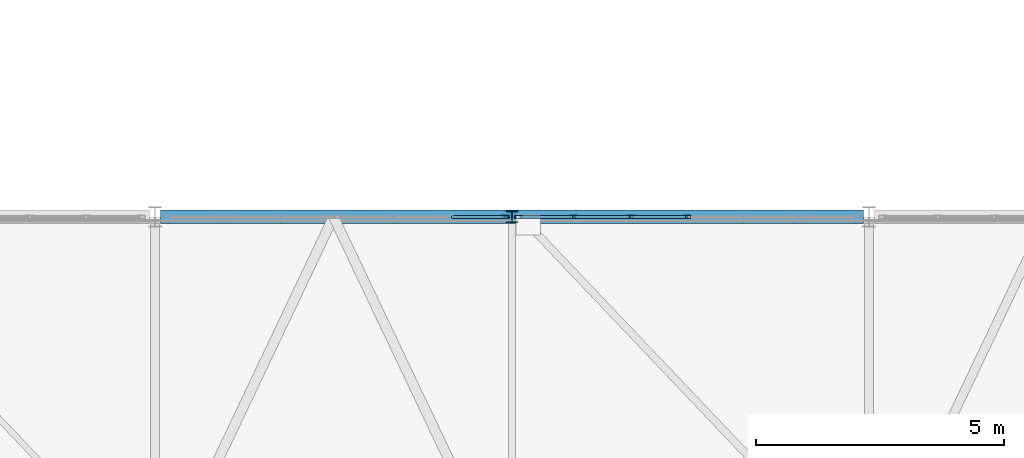
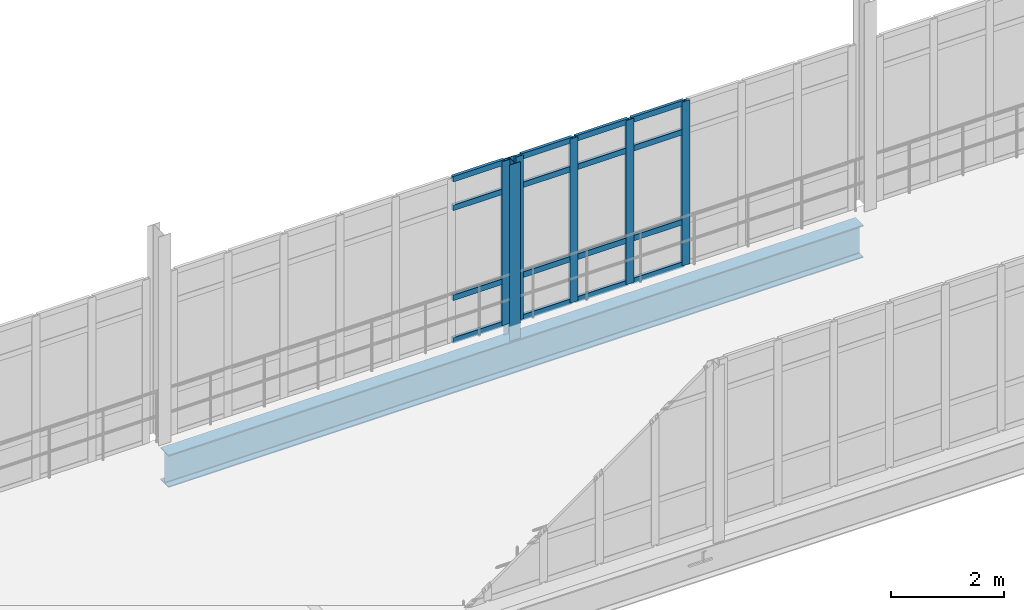
# One storey, part 25 of 116: 22 members, 1 beam, 2 elements without a shape of their own.
"""IFC4 building model written with IfcOpenShell, lengths in metres."""

from ifc_helpers import new_model, si_unit, direction, frame, origin, origin_2d, place, context, subcontext, project, spatial, hollow_rectangle, i_section, extrude, material, material_profile, profile_set, type_object, element, aggregate, save


model = new_model("IFC4")

# Units and contexts
model_context = context("Model", 3, precision=1e-05, world=origin(), true_north=direction((0.0, 1.0)))
body_context = subcontext(model_context, "Body", "Model", "MODEL_VIEW")
ifc_project = project(units=[si_unit("LENGTHUNIT", "METRE"), si_unit("AREAUNIT", "SQUARE_METRE"), si_unit("VOLUMEUNIT", "CUBIC_METRE"), si_unit("PLANEANGLEUNIT", "RADIAN"), si_unit("MASSUNIT", "GRAM", prefix="KILO")], contexts=[model_context])

# Site, building, storey
site_placement = place(None, origin())
site = spatial("IfcSite", under=ifc_project, at=site_placement, CompositionType="ELEMENT")
building_placement = place(site_placement, origin())
building = spatial("IfcBuilding", under=site, at=building_placement, Name="Kalluvel Institute of Natural Sciences", CompositionType="ELEMENT")
storey_placement = place(building_placement, frame((0.0, 0.0, 14.39990234375)))
storey = spatial("IfcBuildingStorey", under=building, at=storey_placement, Name="L03", CompositionType="ELEMENT", Elevation=14.39990234375)

# Beam
ifc_material_1 = material(Name="Steel E350 Grade 350", Category="steel")
ifc_material_profile_1 = material_profile(ifc_material_1, i_section(OverallWidth=0.280029296875, OverallDepth=0.699951171875, WebThickness=0.013916015625, FlangeThickness=0.02392578125, FilletRadius=0.01611328125, at=origin_2d()), Name="WPG 700x280")
ifc_profile_set_1 = profile_set([ifc_material_profile_1], Name="Steel E350 Grade 350")
beam_type = type_object("IfcBeamType", Name="BM-WPG700", PredefinedType="BEAM", material=ifc_profile_set_1)
beam_placement = place(storey_placement, frame((50.110107421875, 35.60009765625, -0.669921875), z_axis=(1.0, 0.0, 0.0), x_axis=(0.0, 1.0, 0.0)))
element("IfcBeam", 1, at=beam_placement, inside=storey, type_object=beam_type, Name="L03 link bridge main plate-girder chord 34", PredefinedType="BEAM", context=body_context, shape_type="SweptSolid", body=[
    extrude(i_section(OverallWidth=0.280029296875, OverallDepth=0.699951171875, WebThickness=0.013916015625, FlangeThickness=0.02392578125, FilletRadius=0.01611328125, at=origin_2d()), origin(), (0.0, 0.0, 1.0), 14.179931640625),
])

# Curtain wall, member
ifc_material_2 = material(Name="Aluminium AW-6063 T6", Category="aluminium")
curtain_wall_type = type_object("IfcCurtainWallType", Name="CW-BRG-45", PredefinedType="USERDEFINED", material=ifc_material_2)
curtain_wall_1_placement = place(storey_placement, origin())
curtain_wall_1 = element("IfcCurtainWall", 2, at=curtain_wall_1_placement, inside=storey, type_object=curtain_wall_type, Name="L03 Gothic lancet curtain wall CWA-L03-X502-Y356", ObjectType="UNITISED LANCET FACADE", PredefinedType="USERDEFINED")
ifc_material_profile_2 = material_profile(ifc_material_2, hollow_rectangle(XDim=0.06005859375, YDim=0.159912109375, WallThickness=0.00390625, at=origin_2d()), Name="CWM 60x160")
ifc_profile_set_2 = profile_set([ifc_material_profile_2], Name="Aluminium AW-6063 T6")
member_type_1 = type_object("IfcMemberType", Name="CWM-60x160", PredefinedType="MULLION", material=ifc_profile_set_2)
member_1_placement = place(storey_placement, frame((57.06005859375, 35.60009765625, 0.0), z_axis=(0.0, 0.0, 1.0), x_axis=(0.0, 1.0, 0.0)))
member_1 = element("IfcMember", 3, at=member_1_placement, type_object=member_type_1, Name="CW-07 mullion 7", PredefinedType="MULLION", context=body_context, shape_type="SweptSolid", body=[
    extrude(hollow_rectangle(XDim=0.06005859375, YDim=0.159912109375, WallThickness=0.00390625, at=origin_2d()), origin(), (0.0, 0.0, 1.0), 3.5400390625),
])

# Curtain wall, members
curtain_wall_2_placement = place(storey_placement, origin())
curtain_wall_2 = element("IfcCurtainWall", 4, at=curtain_wall_2_placement, inside=storey, type_object=curtain_wall_type, Name="L03 Gothic lancet curtain wall CWA-L03-X573-Y356", ObjectType="UNITISED LANCET FACADE", PredefinedType="USERDEFINED")
member_2_placement = place(storey_placement, frame((57.340087890625, 35.60009765625, 0.0), z_axis=(0.0, 0.0, 1.0), x_axis=(0.0, 1.0, 0.0)))
member_2 = element("IfcMember", 5, at=member_2_placement, type_object=member_type_1, Name="CW-07 mullion 1", PredefinedType="MULLION", context=body_context, shape_type="SweptSolid", body=[
    extrude(hollow_rectangle(XDim=0.06005859375, YDim=0.159912109375, WallThickness=0.00390625, at=origin_2d()), origin(), (0.0, 0.0, 1.0), 3.5400390625),
])
member_3_placement = place(storey_placement, frame((58.449951171875, 35.60009765625, 0.0), z_axis=(0.0, 0.0, 1.0), x_axis=(0.0, 1.0, 0.0)))
member_3 = element("IfcMember", 6, at=member_3_placement, type_object=member_type_1, Name="CW-07 mullion 2", PredefinedType="MULLION", context=body_context, shape_type="SweptSolid", body=[
    extrude(hollow_rectangle(XDim=0.06005859375, YDim=0.159912109375, WallThickness=0.00390625, at=origin_2d()), origin(), (0.0, 0.0, 1.0), 3.5400390625),
])
member_4_placement = place(storey_placement, frame((59.590087890625, 35.60009765625, 0.0), z_axis=(0.0, 0.0, 1.0), x_axis=(0.0, 1.0, 0.0)))
member_4 = element("IfcMember", 7, at=member_4_placement, type_object=member_type_1, Name="CW-07 mullion 3", PredefinedType="MULLION", context=body_context, shape_type="SweptSolid", body=[
    extrude(hollow_rectangle(XDim=0.06005859375, YDim=0.159912109375, WallThickness=0.00390625, at=origin_2d()), origin(), (0.0, 0.0, 1.0), 3.5400390625),
])
member_5_placement = place(storey_placement, frame((60.72998046875, 35.60009765625, 0.0), z_axis=(0.0, 0.0, 1.0), x_axis=(0.0, 1.0, 0.0)))
member_5 = element("IfcMember", 8, at=member_5_placement, type_object=member_type_1, Name="CW-07 mullion 4", PredefinedType="MULLION", context=body_context, shape_type="SweptSolid", body=[
    extrude(hollow_rectangle(XDim=0.06005859375, YDim=0.159912109375, WallThickness=0.00390625, at=origin_2d()), origin(), (0.0, 0.0, 1.0), 3.5400390625),
])

# Member
ifc_material_profile_3 = material_profile(ifc_material_2, hollow_rectangle(XDim=0.06005859375, YDim=0.1201171875, WallThickness=0.00390625, at=origin_2d()), Name="CWT 60x120")
ifc_profile_set_3 = profile_set([ifc_material_profile_3], Name="Aluminium AW-6063 T6")
member_type_2 = type_object("IfcMemberType", Name="CWT-60x120", PredefinedType="USERDEFINED", material=ifc_profile_set_3)
member_6_placement = place(storey_placement, frame((55.97998046875, 35.60009765625, 0.030029296875), z_axis=(1.0, 0.0, 0.0), x_axis=(0.0, 1.0, 0.0)))
member_6 = element("IfcMember", 9, at=member_6_placement, type_object=member_type_2, Name="CW-07 transom 6.1", ObjectType="TRANSOM", PredefinedType="USERDEFINED", context=body_context, shape_type="SweptSolid", body=[
    extrude(hollow_rectangle(XDim=0.06005859375, YDim=0.1201171875, WallThickness=0.00390625, at=origin_2d()), origin(), (0.0, 0.0, 1.0), 1.050048828125),
])

member_7_placement = place(storey_placement, frame((55.97998046875, 35.60009765625, 0.9501953125), z_axis=(1.0, 0.0, 0.0), x_axis=(0.0, 1.0, 0.0)))
member_7 = element("IfcMember", 10, at=member_7_placement, type_object=member_type_2, Name="CW-07 transom 6.2", ObjectType="TRANSOM", PredefinedType="USERDEFINED", context=body_context, shape_type="SweptSolid", body=[
    extrude(hollow_rectangle(XDim=0.06005859375, YDim=0.1201171875, WallThickness=0.00390625, at=origin_2d()), origin(), (0.0, 0.0, 1.0), 1.050048828125),
])

member_8_placement = place(storey_placement, frame((55.97998046875, 35.60009765625, 2.89013671875), z_axis=(1.0, 0.0, 0.0), x_axis=(0.0, 1.0, 0.0)))
member_8 = element("IfcMember", 11, at=member_8_placement, type_object=member_type_2, Name="CW-07 transom 6.3", ObjectType="TRANSOM", PredefinedType="USERDEFINED", context=body_context, shape_type="SweptSolid", body=[
    extrude(hollow_rectangle(XDim=0.06005859375, YDim=0.1201171875, WallThickness=0.00390625, at=origin_2d()), origin(), (0.0, 0.0, 1.0), 1.050048828125),
])

member_9_placement = place(storey_placement, frame((55.97998046875, 35.60009765625, 3.510009765625), z_axis=(1.0, 0.0, 0.0), x_axis=(0.0, 1.0, 0.0)))
member_9 = element("IfcMember", 12, at=member_9_placement, type_object=member_type_2, Name="CW-07 transom 6.4", ObjectType="TRANSOM", PredefinedType="USERDEFINED", context=body_context, shape_type="SweptSolid", body=[
    extrude(hollow_rectangle(XDim=0.06005859375, YDim=0.1201171875, WallThickness=0.00390625, at=origin_2d()), origin(), (0.0, 0.0, 1.0), 1.050048828125),
])

aggregate(curtain_wall_1, [member_1, member_6, member_7, member_8, member_9])

member_10_placement = place(storey_placement, frame((57.3701171875, 35.60009765625, 0.030029296875), z_axis=(1.0, 0.0, 0.0), x_axis=(0.0, 1.0, 0.0)))
member_10 = element("IfcMember", 13, at=member_10_placement, type_object=member_type_2, Name="CW-07 transom 1.1", ObjectType="TRANSOM", PredefinedType="USERDEFINED", context=body_context, shape_type="SweptSolid", body=[
    extrude(hollow_rectangle(XDim=0.06005859375, YDim=0.1201171875, WallThickness=0.00390625, at=origin_2d()), origin(), (0.0, 0.0, 1.0), 1.0498046875),
])

member_11_placement = place(storey_placement, frame((57.3701171875, 35.60009765625, 0.9501953125), z_axis=(1.0, 0.0, 0.0), x_axis=(0.0, 1.0, 0.0)))
member_11 = element("IfcMember", 14, at=member_11_placement, type_object=member_type_2, Name="CW-07 transom 1.2", ObjectType="TRANSOM", PredefinedType="USERDEFINED", context=body_context, shape_type="SweptSolid", body=[
    extrude(hollow_rectangle(XDim=0.06005859375, YDim=0.1201171875, WallThickness=0.00390625, at=origin_2d()), origin(), (0.0, 0.0, 1.0), 1.0498046875),
])

member_12_placement = place(storey_placement, frame((57.3701171875, 35.60009765625, 2.89013671875), z_axis=(1.0, 0.0, 0.0), x_axis=(0.0, 1.0, 0.0)))
member_12 = element("IfcMember", 15, at=member_12_placement, type_object=member_type_2, Name="CW-07 transom 1.3", ObjectType="TRANSOM", PredefinedType="USERDEFINED", context=body_context, shape_type="SweptSolid", body=[
    extrude(hollow_rectangle(XDim=0.06005859375, YDim=0.1201171875, WallThickness=0.00390625, at=origin_2d()), origin(), (0.0, 0.0, 1.0), 1.0498046875),
])

member_13_placement = place(storey_placement, frame((57.3701171875, 35.60009765625, 3.510009765625), z_axis=(1.0, 0.0, 0.0), x_axis=(0.0, 1.0, 0.0)))
member_13 = element("IfcMember", 16, at=member_13_placement, type_object=member_type_2, Name="CW-07 transom 1.4", ObjectType="TRANSOM", PredefinedType="USERDEFINED", context=body_context, shape_type="SweptSolid", body=[
    extrude(hollow_rectangle(XDim=0.06005859375, YDim=0.1201171875, WallThickness=0.00390625, at=origin_2d()), origin(), (0.0, 0.0, 1.0), 1.0498046875),
])

member_14_placement = place(storey_placement, frame((58.47998046875, 35.60009765625, 0.030029296875), z_axis=(1.0, 0.0, 0.0), x_axis=(0.0, 1.0, 0.0)))
member_14 = element("IfcMember", 17, at=member_14_placement, type_object=member_type_2, Name="CW-07 transom 2.1", ObjectType="TRANSOM", PredefinedType="USERDEFINED", context=body_context, shape_type="SweptSolid", body=[
    extrude(hollow_rectangle(XDim=0.06005859375, YDim=0.1201171875, WallThickness=0.00390625, at=origin_2d()), origin(), (0.0, 0.0, 1.0), 1.080078125),
])

member_15_placement = place(storey_placement, frame((58.47998046875, 35.60009765625, 0.9501953125), z_axis=(1.0, 0.0, 0.0), x_axis=(0.0, 1.0, 0.0)))
member_15 = element("IfcMember", 18, at=member_15_placement, type_object=member_type_2, Name="CW-07 transom 2.2", ObjectType="TRANSOM", PredefinedType="USERDEFINED", context=body_context, shape_type="SweptSolid", body=[
    extrude(hollow_rectangle(XDim=0.06005859375, YDim=0.1201171875, WallThickness=0.00390625, at=origin_2d()), origin(), (0.0, 0.0, 1.0), 1.080078125),
])

member_16_placement = place(storey_placement, frame((58.47998046875, 35.60009765625, 2.89013671875), z_axis=(1.0, 0.0, 0.0), x_axis=(0.0, 1.0, 0.0)))
member_16 = element("IfcMember", 19, at=member_16_placement, type_object=member_type_2, Name="CW-07 transom 2.3", ObjectType="TRANSOM", PredefinedType="USERDEFINED", context=body_context, shape_type="SweptSolid", body=[
    extrude(hollow_rectangle(XDim=0.06005859375, YDim=0.1201171875, WallThickness=0.00390625, at=origin_2d()), origin(), (0.0, 0.0, 1.0), 1.080078125),
])

member_17_placement = place(storey_placement, frame((58.47998046875, 35.60009765625, 3.510009765625), z_axis=(1.0, 0.0, 0.0), x_axis=(0.0, 1.0, 0.0)))
member_17 = element("IfcMember", 20, at=member_17_placement, type_object=member_type_2, Name="CW-07 transom 2.4", ObjectType="TRANSOM", PredefinedType="USERDEFINED", context=body_context, shape_type="SweptSolid", body=[
    extrude(hollow_rectangle(XDim=0.06005859375, YDim=0.1201171875, WallThickness=0.00390625, at=origin_2d()), origin(), (0.0, 0.0, 1.0), 1.080078125),
])

member_18_placement = place(storey_placement, frame((59.6201171875, 35.60009765625, 0.030029296875), z_axis=(1.0, 0.0, 0.0), x_axis=(0.0, 1.0, 0.0)))
member_18 = element("IfcMember", 21, at=member_18_placement, type_object=member_type_2, Name="CW-07 transom 3.1", ObjectType="TRANSOM", PredefinedType="USERDEFINED", context=body_context, shape_type="SweptSolid", body=[
    extrude(hollow_rectangle(XDim=0.06005859375, YDim=0.1201171875, WallThickness=0.00390625, at=origin_2d()), origin(), (0.0, 0.0, 1.0), 1.079833984375),
])

member_19_placement = place(storey_placement, frame((59.6201171875, 35.60009765625, 0.9501953125), z_axis=(1.0, 0.0, 0.0), x_axis=(0.0, 1.0, 0.0)))
member_19 = element("IfcMember", 22, at=member_19_placement, type_object=member_type_2, Name="CW-07 transom 3.2", ObjectType="TRANSOM", PredefinedType="USERDEFINED", context=body_context, shape_type="SweptSolid", body=[
    extrude(hollow_rectangle(XDim=0.06005859375, YDim=0.1201171875, WallThickness=0.00390625, at=origin_2d()), origin(), (0.0, 0.0, 1.0), 1.079833984375),
])

member_20_placement = place(storey_placement, frame((59.6201171875, 35.60009765625, 2.89013671875), z_axis=(1.0, 0.0, 0.0), x_axis=(0.0, 1.0, 0.0)))
member_20 = element("IfcMember", 23, at=member_20_placement, type_object=member_type_2, Name="CW-07 transom 3.3", ObjectType="TRANSOM", PredefinedType="USERDEFINED", context=body_context, shape_type="SweptSolid", body=[
    extrude(hollow_rectangle(XDim=0.06005859375, YDim=0.1201171875, WallThickness=0.00390625, at=origin_2d()), origin(), (0.0, 0.0, 1.0), 1.079833984375),
])

member_21_placement = place(storey_placement, frame((59.6201171875, 35.60009765625, 3.510009765625), z_axis=(1.0, 0.0, 0.0), x_axis=(0.0, 1.0, 0.0)))
member_21 = element("IfcMember", 24, at=member_21_placement, type_object=member_type_2, Name="CW-07 transom 3.4", ObjectType="TRANSOM", PredefinedType="USERDEFINED", context=body_context, shape_type="SweptSolid", body=[
    extrude(hollow_rectangle(XDim=0.06005859375, YDim=0.1201171875, WallThickness=0.00390625, at=origin_2d()), origin(), (0.0, 0.0, 1.0), 1.079833984375),
])

aggregate(curtain_wall_2, [member_2, member_3, member_4, member_5, member_10, member_11, member_12, member_13, member_14, member_15, member_16, member_17, member_18, member_19, member_20, member_21])

ifc_material_profile_4 = material_profile(ifc_material_1, i_section(OverallWidth=0.22509765625, OverallDepth=0.22509765625, WebThickness=0.008544921875, FlangeThickness=0.009033203125, FilletRadius=0.010009765625, at=origin_2d()), Name="ISHB 225")
ifc_profile_set_4 = profile_set([ifc_material_profile_4], Name="Steel E350 Grade 350")
member_type_3 = type_object("IfcMemberType", Name="MB-ST-ISHB225", PredefinedType="STRUT", material=ifc_profile_set_4)
member_22_placement = place(storey_placement, frame((57.199951171875, 35.60009765625, -0.31982421875), z_axis=(0.0, 0.0, 1.0), x_axis=(1.0, 0.0, 0.0)))
element("IfcMember", 25, at=member_22_placement, inside=storey, type_object=member_type_3, Name="Glazed link bridge truss post 48", PredefinedType="STRUT", context=body_context, shape_type="SweptSolid", body=[
    extrude(i_section(OverallWidth=0.22509765625, OverallDepth=0.22509765625, WebThickness=0.008544921875, FlangeThickness=0.009033203125, FilletRadius=0.010009765625, at=origin_2d()), origin(), (0.0, 0.0, 1.0), 3.7998046875),
])

save(model, "model.ifc")
